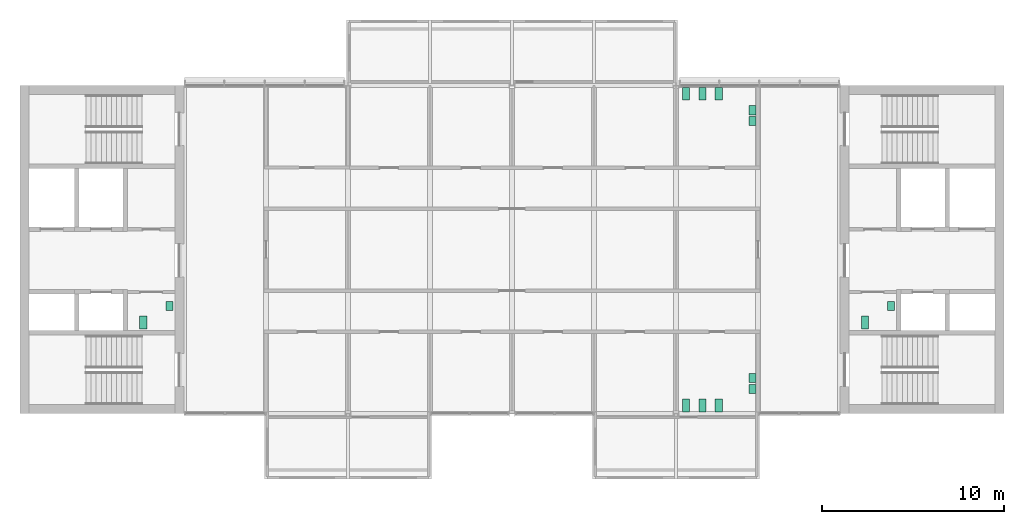
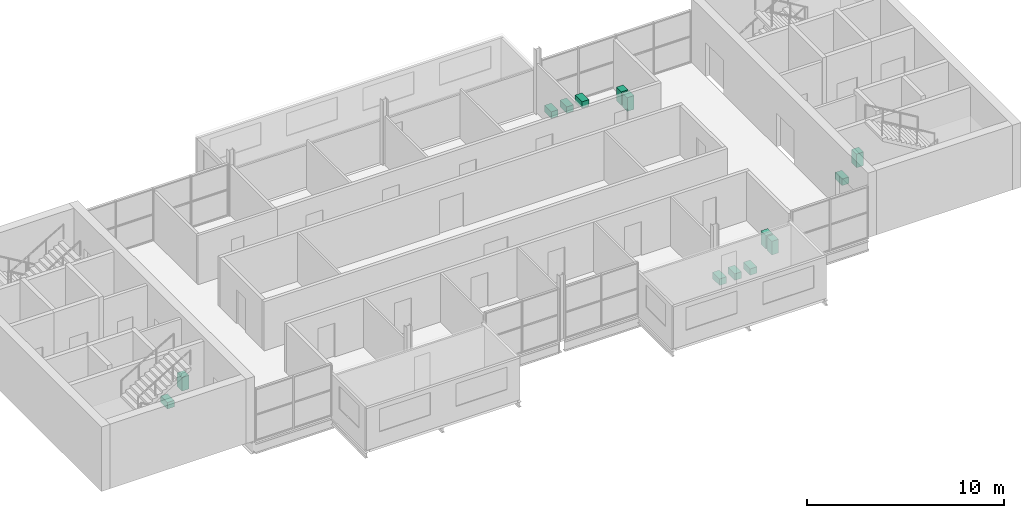
# One storey, part 10 of 10: 14 sanitary terminals.
"""IFC4 building model written with IfcOpenShell, lengths in metres."""

from ifc_helpers import new_model, si_unit, direction, frame, origin, origin_2d, place, context, subcontext, project, spatial, rectangle, extrude, element, save


model = new_model("IFC4")

# Units and contexts
model_context = context("Model", 3, precision=1e-05, world=origin(), true_north=direction((0.0, 1.0)))
body_context = subcontext(model_context, "Body", "Model", "MODEL_VIEW")
ifc_project = project(units=[si_unit("LENGTHUNIT", "METRE"), si_unit("AREAUNIT", "SQUARE_METRE"), si_unit("VOLUMEUNIT", "CUBIC_METRE"), si_unit("PLANEANGLEUNIT", "RADIAN"), si_unit("MASSUNIT", "GRAM", prefix="KILO")], contexts=[model_context])

# Site, building, storey
site_placement = place(None, origin())
site = spatial("IfcSite", under=ifc_project, at=site_placement, CompositionType="ELEMENT")
building_placement = place(site_placement, origin())
building = spatial("IfcBuilding", under=site, at=building_placement, Name="Corbel Yard City Hall", CompositionType="ELEMENT")
storey_placement = place(building_placement, frame((0.0, 0.0, 63.199951171875)))
storey = spatial("IfcBuildingStorey", under=building, at=storey_placement, Name="L15", CompositionType="ELEMENT", Elevation=63.199951171875)

# Sanitary terminals
sanitary_terminal_1_placement = place(storey_placement, frame((46.36669921875, 104.0, 0.0), z_axis=(0.0, 0.0, 1.0), x_axis=(1.0, 0.0, 0.0)))
element("IfcSanitaryTerminal", 1, at=sanitary_terminal_1_placement, inside=storey, Name="Water closet", PredefinedType="TOILETPAN", context=body_context, shape_type="SweptSolid", body=[
    extrude(rectangle(XDim=0.39990234375, YDim=0.699951171875, at=origin_2d()), origin(), (0.0, 0.0, 1.0), 0.39990234375),
])
sanitary_terminal_2_placement = place(storey_placement, frame((47.800048828125, 104.89990234375, 0.0), z_axis=(0.0, 0.0, 1.0), x_axis=(1.0, 0.0, 0.0)))
element("IfcSanitaryTerminal", 2, at=sanitary_terminal_2_placement, inside=storey, Name="Wash basin", PredefinedType="WASHHANDBASIN", context=body_context, shape_type="SweptSolid", body=[
    extrude(rectangle(XDim=0.39990234375, YDim=0.5, at=origin_2d()), origin(), (0.0, 0.0, 1.0), 0.85009765625),
])
sanitary_terminal_3_placement = place(storey_placement, frame((6.7666015625, 104.0, 0.0), z_axis=(0.0, 0.0, 1.0), x_axis=(1.0, 0.0, 0.0)))
element("IfcSanitaryTerminal", 3, at=sanitary_terminal_3_placement, inside=storey, Name="Water closet", PredefinedType="TOILETPAN", context=body_context, shape_type="SweptSolid", body=[
    extrude(rectangle(XDim=0.39990234375, YDim=0.699951171875, at=origin_2d()), origin(), (0.0, 0.0, 1.0), 0.39990234375),
])
sanitary_terminal_4_placement = place(storey_placement, frame((8.199951171875, 104.89990234375, 0.0), z_axis=(0.0, 0.0, 1.0), x_axis=(1.0, 0.0, 0.0)))
element("IfcSanitaryTerminal", 4, at=sanitary_terminal_4_placement, inside=storey, Name="Wash basin", PredefinedType="WASHHANDBASIN", context=body_context, shape_type="SweptSolid", body=[
    extrude(rectangle(XDim=0.39990234375, YDim=0.5, at=origin_2d()), origin(), (0.0, 0.0, 1.0), 0.85009765625),
])
for number, where, z_axis, x_axis, name in (
    (5, (36.550048828125, 99.449951171875, 0.0), (0.0, 0.0, 1.0), (1.0, 0.0, 0.0), "Water closet"),
    (6, (37.449951171875, 99.449951171875, 0.0), (0.0, 0.0, 1.0), (1.0, 0.0, 0.0), "Water closet"),
    (7, (38.35009765625, 99.449951171875, 0.0), (0.0, 0.0, 1.0), (1.0, 0.0, 0.0), "Water closet"),
):
    element("IfcSanitaryTerminal", number, at=place(storey_placement, frame(where, z_axis=z_axis, x_axis=x_axis)), inside=storey, Name=name, PredefinedType="TOILETPAN", context=body_context, shape_type="SweptSolid", body=[
        extrude(rectangle(XDim=0.39990234375, YDim=0.699951171875, at=origin_2d()), origin(), (0.0, 0.0, 1.0), 0.39990234375),
    ])
for number, where, z_axis, x_axis, name in (
    (8, (40.199951171875, 100.35009765625, 0.0), (0.0, 0.0, 1.0), (1.0, 0.0, 0.0), "Wash basin"),
    (9, (40.199951171875, 100.949951171875, 0.0), (0.0, 0.0, 1.0), (1.0, 0.0, 0.0), "Wash basin"),
):
    element("IfcSanitaryTerminal", number, at=place(storey_placement, frame(where, z_axis=z_axis, x_axis=x_axis)), inside=storey, Name=name, PredefinedType="WASHHANDBASIN", context=body_context, shape_type="SweptSolid", body=[
        extrude(rectangle(XDim=0.39990234375, YDim=0.5, at=origin_2d()), origin(), (0.0, 0.0, 1.0), 0.85009765625),
    ])
for number, where, z_axis, x_axis, name in (
    (10, (36.550048828125, 116.550048828125, 0.0), (0.0, 0.0, 1.0), (1.0, 0.0, 0.0), "Water closet"),
    (11, (37.449951171875, 116.550048828125, 0.0), (0.0, 0.0, 1.0), (1.0, 0.0, 0.0), "Water closet"),
    (12, (38.35009765625, 116.550048828125, 0.0), (0.0, 0.0, 1.0), (1.0, 0.0, 0.0), "Water closet"),
):
    element("IfcSanitaryTerminal", number, at=place(storey_placement, frame(where, z_axis=z_axis, x_axis=x_axis)), inside=storey, Name=name, PredefinedType="TOILETPAN", context=body_context, shape_type="SweptSolid", body=[
        extrude(rectangle(XDim=0.39990234375, YDim=0.699951171875, at=origin_2d()), origin(), (0.0, 0.0, 1.0), 0.39990234375),
    ])
for number, where, z_axis, x_axis, name in (
    (13, (40.199951171875, 115.64990234375, 0.0), (0.0, 0.0, 1.0), (1.0, 0.0, 0.0), "Wash basin"),
    (14, (40.199951171875, 115.050048828125, 0.0), (0.0, 0.0, 1.0), (1.0, 0.0, 0.0), "Wash basin"),
):
    element("IfcSanitaryTerminal", number, at=place(storey_placement, frame(where, z_axis=z_axis, x_axis=x_axis)), inside=storey, Name=name, PredefinedType="WASHHANDBASIN", context=body_context, shape_type="SweptSolid", body=[
        extrude(rectangle(XDim=0.39990234375, YDim=0.5, at=origin_2d()), origin(), (0.0, 0.0, 1.0), 0.85009765625),
    ])

save(model, "model.ifc")
